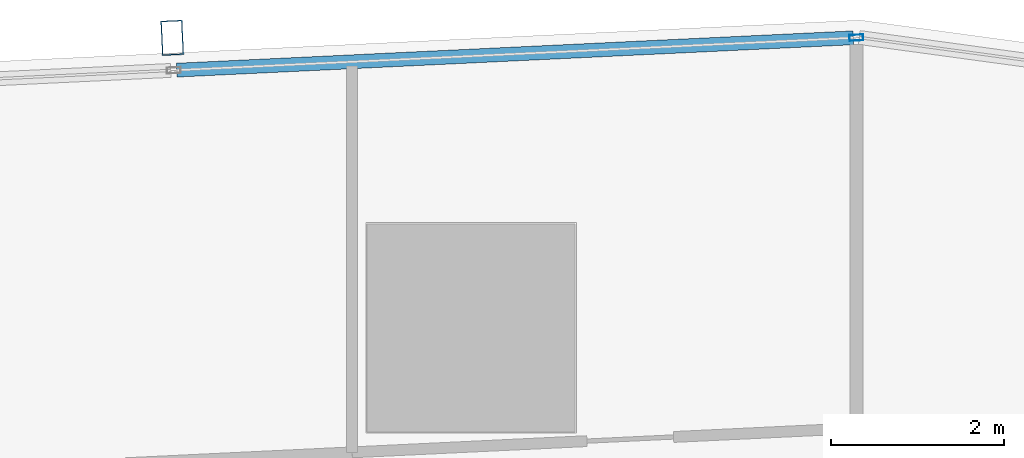
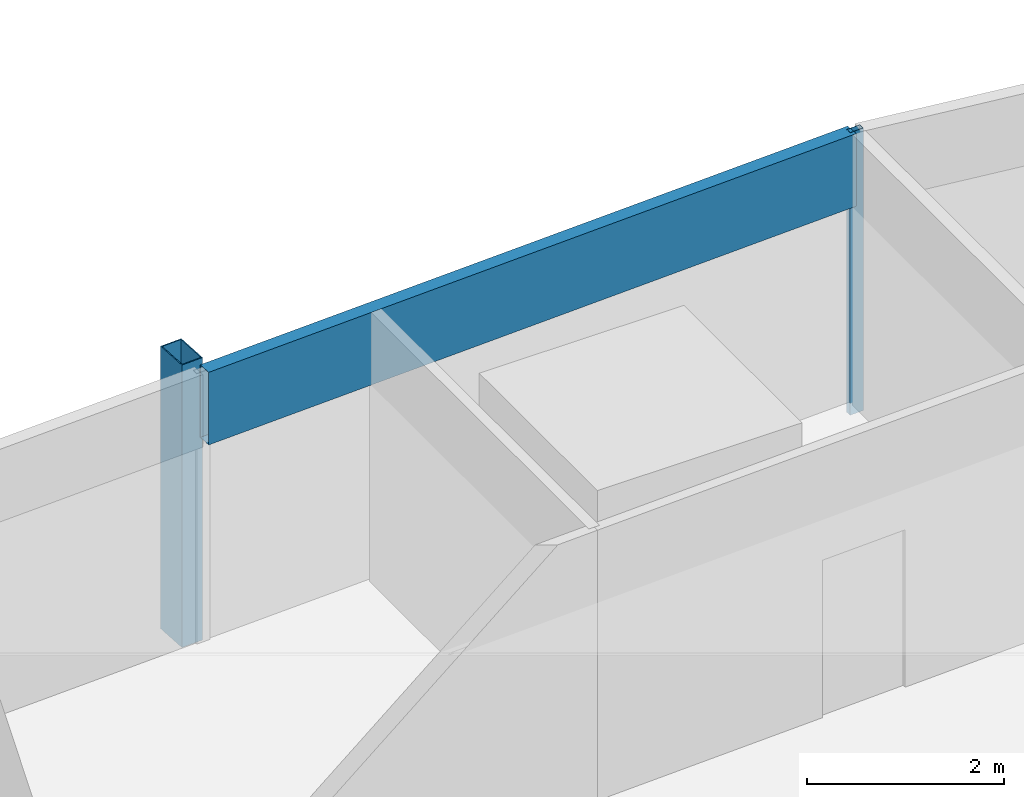
# One storey, part 22 of 37: 3 members, 1 element without a shape of its own.
"""IFC4 building model written with IfcOpenShell, lengths in metres."""

from ifc_helpers import new_model, si_unit, direction, frame, origin, origin_2d, place, context, subcontext, project, spatial, hollow_rectangle, extrude, material, material_profile, profile_set, type_object, element, aggregate, save


model = new_model("IFC4")

# Units and contexts
model_context = context("Model", 3, precision=1e-05, world=origin(), true_north=direction((0.0, 1.0)))
body_context = subcontext(model_context, "Body", "Model", "MODEL_VIEW")
ifc_project = project(units=[si_unit("LENGTHUNIT", "METRE"), si_unit("AREAUNIT", "SQUARE_METRE"), si_unit("VOLUMEUNIT", "CUBIC_METRE"), si_unit("PLANEANGLEUNIT", "RADIAN"), si_unit("MASSUNIT", "GRAM", prefix="KILO")], contexts=[model_context])

# Site, building, storey
site_placement = place(None, origin())
site = spatial("IfcSite", under=ifc_project, at=site_placement, CompositionType="ELEMENT")
building_placement = place(site_placement, origin())
building = spatial("IfcBuilding", under=site, at=building_placement, Name="Rekha Terrace Tower", CompositionType="ELEMENT")
storey_placement = place(building_placement, frame((0.0, 0.0, 228.949951171875)))
storey = spatial("IfcBuildingStorey", under=building, at=storey_placement, Name="L58", CompositionType="ELEMENT", Elevation=228.949951171875)

# Curtain wall, members
ifc_material_1 = material(Name="Aluminium framing", Category="aluminium")
curtain_wall_type = type_object("IfcCurtainWallType", Name="CW3 north unitised glazing", PredefinedType="USERDEFINED", material=ifc_material_1)
curtain_wall_placement = place(storey_placement, origin())
curtain_wall = element("IfcCurtainWall", 1, at=curtain_wall_placement, inside=storey, type_object=curtain_wall_type, Name="CW3 unitised curtain wall", ObjectType="UNITISED CURTAIN WALL", PredefinedType="USERDEFINED")
ifc_material_2 = material(Name="Steel S355 with fluorocarbon finish", Category="steel")
ifc_material_profile_1 = material_profile(ifc_material_2, hollow_rectangle(XDim=0.25, YDim=0.39990234375, WallThickness=0.012451171875, at=origin_2d()), Name="RHS400x250x12.5")
ifc_profile_set_1 = profile_set([ifc_material_profile_1], Name="Steel S355 with fluorocarbon finish")
member_type_1 = type_object("IfcMemberType", Name="BL1 facade blade RHS 400 x 250", PredefinedType="USERDEFINED", material=ifc_profile_set_1)
member_1_placement = place(storey_placement, frame((38.55224609375, 62.145751953125, 0.0), z_axis=(0.0, 0.0, 1.0), x_axis=(-0.998858913274, -0.04775846913, 0.0)))
member_1 = element("IfcMember", 2, at=member_1_placement, type_object=member_type_1, Name="Facade blade", ObjectType="FACADE BLADE", PredefinedType="USERDEFINED", context=body_context, shape_type="SweptSolid", body=[
    extrude(hollow_rectangle(XDim=0.25, YDim=0.39990234375, WallThickness=0.012451171875, at=origin_2d()), origin(), (0.0, 0.0, 1.0), 3.5),
])
ifc_material_3 = material(Name="Aluminium mullion section", Category="aluminium")
ifc_material_profile_2 = material_profile(ifc_material_3, hollow_rectangle(XDim=0.070068359375, YDim=0.159912109375, WallThickness=0.00390625, at=origin_2d()), Name="AL RHS 70x160")
ifc_profile_set_2 = profile_set([ifc_material_profile_2], Name="Aluminium mullion section")
member_type_2 = type_object("IfcMemberType", Name="CW3 mullion RHS 70 x 160", PredefinedType="MULLION", material=ifc_profile_set_2)
member_2_placement = place(storey_placement, frame((46.4443359375, 62.147705078125, 0.0), z_axis=(0.0, 0.0, 1.0), x_axis=(0.047758616983, -0.998858906204, 0.0)))
member_2 = element("IfcMember", 3, at=member_2_placement, type_object=member_type_2, Name="CW3 mullion 1", PredefinedType="MULLION", context=body_context, shape_type="SweptSolid", body=[
    extrude(hollow_rectangle(XDim=0.070068359375, YDim=0.159912109375, WallThickness=0.00390625, at=origin_2d()), origin(), (0.0, 0.0, 1.0), 3.5),
])
ifc_material_4 = material(Name="Insulated aluminium spandrel box", Category="aluminium")
ifc_material_profile_3 = material_profile(ifc_material_4, hollow_rectangle(XDim=0.159912109375, YDim=0.89990234375, WallThickness=0.0029296875, at=origin_2d()), Name="AL SPANDREL BOX 160x900")
ifc_profile_set_3 = profile_set([ifc_material_profile_3], Name="Insulated aluminium spandrel box")
member_type_3 = type_object("IfcMemberType", Name="CW3 spandrel transom 160 x 900", PredefinedType="USERDEFINED", material=ifc_profile_set_3)
member_3_placement = place(storey_placement, frame((46.4091796875, 62.14599609375, 3.050048828125), z_axis=(-0.998859425172, -0.047747761666, 0.0), x_axis=(0.047747761666, -0.998859425172, 0.0)))
member_3 = element("IfcMember", 4, at=member_3_placement, type_object=member_type_3, Name="CW3 spandrel transom 1", ObjectType="TRANSOM", PredefinedType="USERDEFINED", context=body_context, shape_type="SweptSolid", body=[
    extrude(hollow_rectangle(XDim=0.159912109375, YDim=0.89990234375, WallThickness=0.0029296875, at=origin_2d()), origin(), (0.0, 0.0, 1.0), 7.81298828125),
])
aggregate(curtain_wall, [member_2, member_3, member_1])

save(model, "model.ifc")
